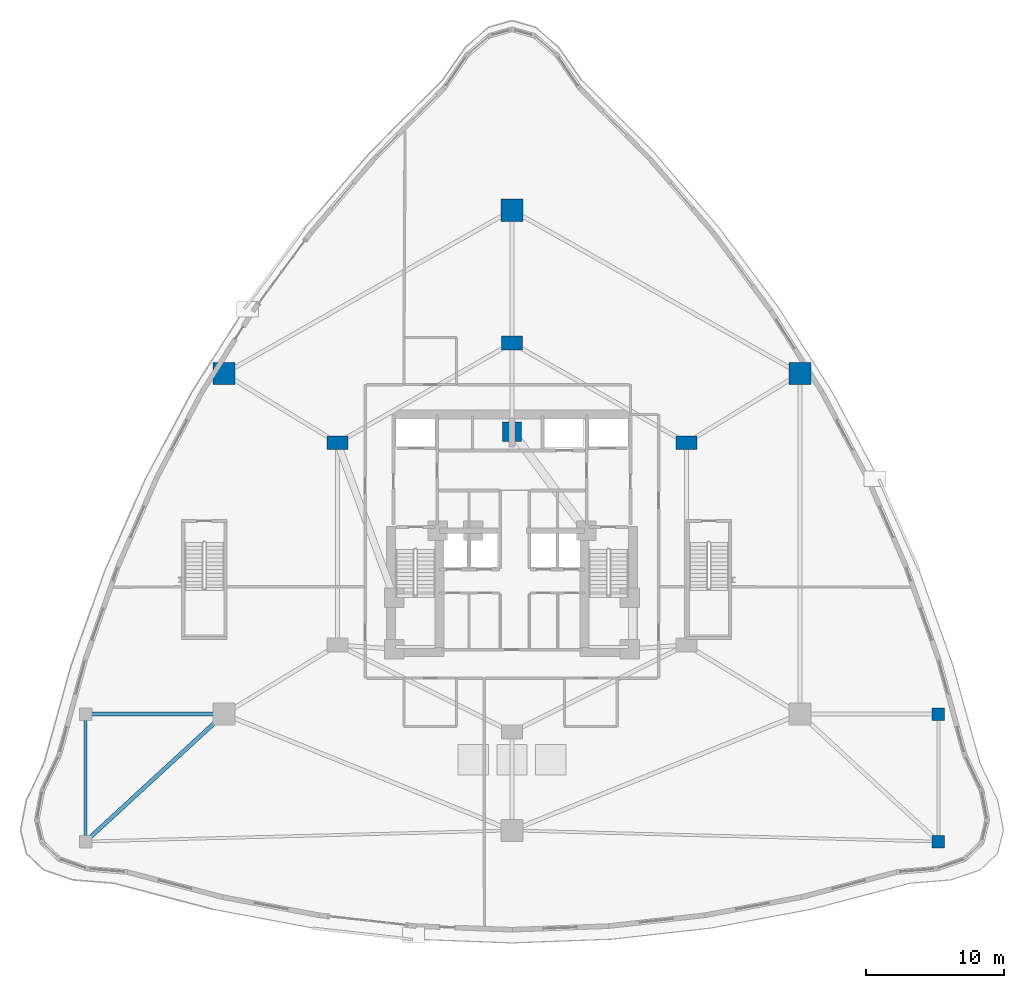
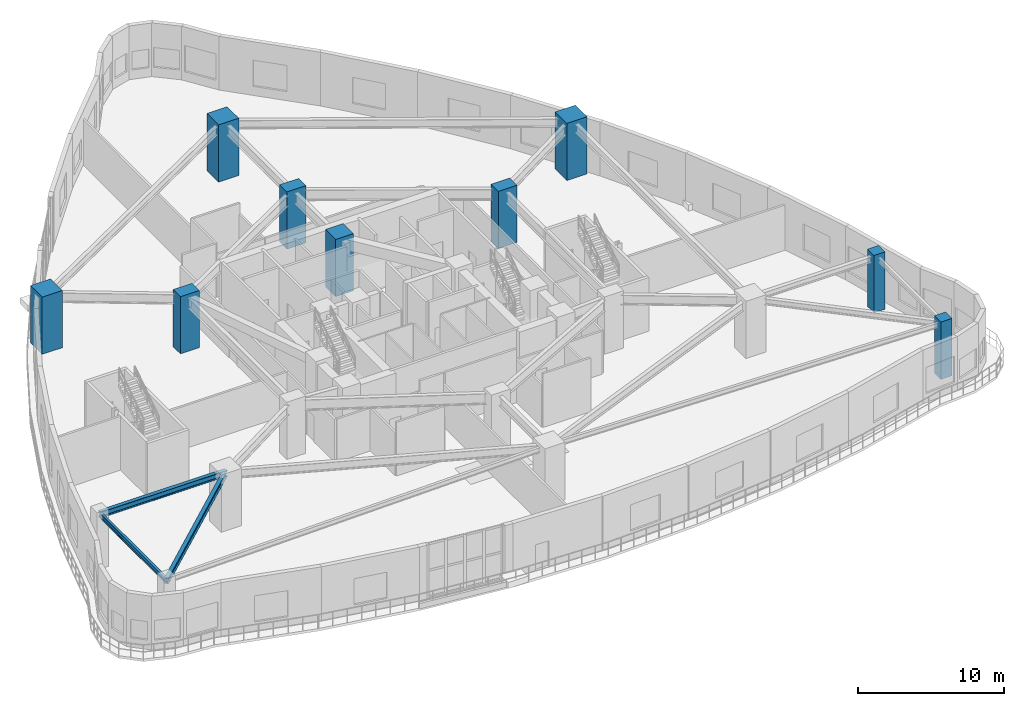
# One storey, part 3 of 23: 9 columns, 3 beams.
"""IFC4 building model written with IfcOpenShell, lengths in metres."""

from ifc_helpers import new_model, si_unit, direction, frame, origin, origin_2d, place, context, subcontext, project, spatial, rectangle, i_section, extrude, material, material_profile, profile_set, type_object, element, save


model = new_model("IFC4")

# Units and contexts
model_context = context("Model", 3, precision=1e-05, world=origin(), true_north=direction((0.0, 1.0)))
body_context = subcontext(model_context, "Body", "Model", "MODEL_VIEW")
ifc_project = project(units=[si_unit("LENGTHUNIT", "METRE"), si_unit("AREAUNIT", "SQUARE_METRE"), si_unit("VOLUMEUNIT", "CUBIC_METRE"), si_unit("PLANEANGLEUNIT", "RADIAN"), si_unit("MASSUNIT", "GRAM", prefix="KILO")], contexts=[model_context])

# Site, building, storey
site_placement = place(None, origin())
site = spatial("IfcSite", under=ifc_project, at=site_placement, CompositionType="ELEMENT")
building_placement = place(site_placement, origin())
building = spatial("IfcBuilding", under=site, at=building_placement, Name="Miruveldt Soraemaru", CompositionType="ELEMENT")
storey_placement = place(building_placement, frame((0.0, 0.0, 9.60009765625)))
storey = spatial("IfcBuildingStorey", under=building, at=storey_placement, Name="L03", CompositionType="ELEMENT", Elevation=9.60009765625)

# Columns
ifc_material_1 = material(Name="Concrete C50/60 (50 MPa)", Category="concrete")
ifc_material_profile_1 = material_profile(ifc_material_1, rectangle(XDim=0.89990234375, YDim=0.89990234375, at=origin_2d()), Name="Concrete C50/60 (50 MPa)", Category="concrete")
ifc_profile_set_1 = profile_set([ifc_material_profile_1], Name="Concrete C50/60 (50 MPa)")
column_type_1 = type_object("IfcColumnType", Name="COL-CORE-900", PredefinedType="COLUMN", material=ifc_profile_set_1)
for number, where, z_axis, x_axis, name in (
    (1, (74.800048828125, 21.60009765625, 0.0), (0.0, 0.0, 1.0), (1.0, 0.0, 0.0), "L03 Structural Column PF03"),
    (2, (74.800048828125, 30.800048828125, 0.0), (0.0, 0.0, 1.0), (1.0, 0.0, 0.0), "L03 Structural Column PF04"),
):
    element("IfcColumn", number, at=place(storey_placement, frame(where, z_axis=z_axis, x_axis=x_axis)), inside=storey, type_object=column_type_1, Name=name, PredefinedType="COLUMN", context=body_context, shape_type="SweptSolid", body=[
        extrude(rectangle(XDim=0.89990234375, YDim=0.89990234375, at=origin_2d()), origin(), (0.0, 0.0, 1.0), 4.7998046875),
    ])
ifc_material_2 = material(Name="Concrete C80/95 (80 MPa)", Category="concrete")
ifc_material_profile_2 = material_profile(ifc_material_2, rectangle(XDim=1.39990234375, YDim=1.39990234375, at=origin_2d()), Name="Concrete C80/95 (80 MPa)", Category="concrete")
ifc_profile_set_2 = profile_set([ifc_material_profile_2], Name="Concrete C80/95 (80 MPa)")
column_type_2 = type_object("IfcColumnType", Name="COL-MEGA-1400", PredefinedType="COLUMN", material=ifc_profile_set_2)
column_placement = place(storey_placement, frame((44.0, 51.199951171875, 0.0), z_axis=(0.0, 0.0, 1.0), x_axis=(1.0, 0.0, 0.0)))
element("IfcColumn", 3, at=column_placement, inside=storey, type_object=column_type_2, Name="L03 Structural Column CC6", PredefinedType="COLUMN", context=body_context, shape_type="SweptSolid", body=[
    extrude(rectangle(XDim=1.39990234375, YDim=1.39990234375, at=origin_2d()), origin(), (0.0, 0.0, 1.0), 4.7998046875),
])
ifc_material_profile_3 = material_profile(ifc_material_2, rectangle(XDim=1.60009765625, YDim=1.60009765625, at=origin_2d()), Name="Concrete C80/95 (80 MPa)", Category="concrete")
ifc_profile_set_3 = profile_set([ifc_material_profile_3], Name="Concrete C80/95 (80 MPa)")
column_type_3 = type_object("IfcColumnType", Name="COL-MEGA-1600", PredefinedType="COLUMN", material=ifc_profile_set_3)
for number, where, z_axis, x_axis, name in (
    (4, (44.0, 67.199951171875, 0.0), (0.0, 0.0, 1.0), (1.0, 0.0, 0.0), "L03 Structural Column PM01"),
    (5, (64.800048828125, 55.39990234375, 0.0), (0.0, 0.0, 1.0), (1.0, 0.0, 0.0), "L03 Structural Column PM02"),
    (6, (23.199951171875, 55.39990234375, 0.0), (0.0, 0.0, 1.0), (1.0, 0.0, 0.0), "L03 Structural Column PM06"),
):
    element("IfcColumn", number, at=place(storey_placement, frame(where, z_axis=z_axis, x_axis=x_axis)), inside=storey, type_object=column_type_3, Name=name, PredefinedType="COLUMN", context=body_context, shape_type="SweptSolid", body=[
        extrude(rectangle(XDim=1.60009765625, YDim=1.60009765625, at=origin_2d()), origin(), (0.0, 0.0, 1.0), 4.7998046875),
    ])
ifc_material_profile_4 = material_profile(ifc_material_2, rectangle(XDim=1.5, YDim=1.0, at=origin_2d()), Name="Concrete C80/95 (80 MPa)", Category="concrete")
ifc_profile_set_4 = profile_set([ifc_material_profile_4], Name="Concrete C80/95 (80 MPa)")
column_type_4 = type_object("IfcColumnType", Name="COL-TW-Z1A", PredefinedType="COLUMN", material=ifc_profile_set_4)
for number, where, z_axis, x_axis, name in (
    (7, (44.0, 57.60009765625, 0.0), (0.0, 0.0, 1.0), (1.0, 0.0, 0.0), "L03 Structural Column IR01"),
    (8, (56.60009765625, 50.39990234375, 0.0), (0.0, 0.0, 1.0), (1.0, 0.0, 0.0), "L03 Structural Column IR02"),
    (9, (31.39990234375, 50.39990234375, 0.0), (0.0, 0.0, 1.0), (1.0, 0.0, 0.0), "L03 Structural Column IR06"),
):
    element("IfcColumn", number, at=place(storey_placement, frame(where, z_axis=z_axis, x_axis=x_axis)), inside=storey, type_object=column_type_4, Name=name, PredefinedType="COLUMN", context=body_context, shape_type="SweptSolid", body=[
        extrude(rectangle(XDim=1.5, YDim=1.0, at=origin_2d()), origin(), (0.0, 0.0, 1.0), 4.7998046875),
    ])

# Beams
ifc_material_3 = material(Name="Steel SM355 (355 MPa)", Category="steel")
ifc_material_profile_5 = material_profile(ifc_material_3, i_section(OverallWidth=0.199951171875, OverallDepth=0.39990234375, WebThickness=0.008056640625, FlangeThickness=0.012939453125, FilletRadius=0.01611328125, at=origin_2d()), Name="Steel SM355 (355 MPa)", Category="steel")
ifc_profile_set_5 = profile_set([ifc_material_profile_5], Name="Steel SM355 (355 MPa)")
beam_type_1 = type_object("IfcBeamType", Name="BM-ST-H400", PredefinedType="JOIST", material=ifc_profile_set_5)
beam_1_placement = place(storey_placement, frame((13.199951171875, 30.800048828125, 4.2998046875), z_axis=(0.0, -1.0, 0.0), x_axis=(1.0, 0.0, 0.0)))
element("IfcBeam", 10, at=beam_1_placement, inside=storey, type_object=beam_type_1, Name="L03 Podium West Bay Edge Beam", PredefinedType="JOIST", context=body_context, shape_type="SweptSolid", body=[
    extrude(i_section(OverallWidth=0.199951171875, OverallDepth=0.39990234375, WebThickness=0.008056640625, FlangeThickness=0.012939453125, FilletRadius=0.01611328125, at=origin_2d()), origin(), (0.0, 0.0, 1.0), 9.199951171875),
])
ifc_material_profile_6 = material_profile(ifc_material_3, i_section(OverallWidth=0.300048828125, OverallDepth=0.488037109375, WebThickness=0.010986328125, FlangeThickness=0.01806640625, FilletRadius=0.02587890625, at=origin_2d()), Name="Steel SM355 (355 MPa)", Category="steel")
ifc_profile_set_6 = profile_set([ifc_material_profile_6], Name="Steel SM355 (355 MPa)")
beam_type_2 = type_object("IfcBeamType", Name="BM-ST-H488", PredefinedType="BEAM", material=ifc_profile_set_6)
beam_2_placement = place(storey_placement, frame((23.199951171875, 30.800048828125, 4.255859375), z_axis=(-1.0, 0.0, 0.0), x_axis=(0.0, -1.0, 0.0)))
element("IfcBeam", 11, at=beam_2_placement, inside=storey, type_object=beam_type_2, Name="L03 Podium West Bay Girder 1", PredefinedType="BEAM", context=body_context, shape_type="SweptSolid", body=[
    extrude(i_section(OverallWidth=0.300048828125, OverallDepth=0.488037109375, WebThickness=0.010986328125, FlangeThickness=0.01806640625, FilletRadius=0.02587890625, at=origin_2d()), origin(), (0.0, 0.0, 1.0), 10.0),
])
beam_3_placement = place(storey_placement, frame((13.199951171875, 21.60009765625, 4.255859375), z_axis=(0.735932802242, 0.677054584641, 0.0), x_axis=(-0.677054584641, 0.735932802242, 0.0)))
element("IfcBeam", 12, at=beam_3_placement, inside=storey, type_object=beam_type_2, Name="L03 Podium West Bay Tie Girder", PredefinedType="BEAM", context=body_context, shape_type="SweptSolid", body=[
    extrude(i_section(OverallWidth=0.300048828125, OverallDepth=0.488037109375, WebThickness=0.010986328125, FlangeThickness=0.01806640625, FilletRadius=0.02587890625, at=origin_2d()), origin(), (0.0, 0.0, 1.0), 13.588134765625),
])

save(model, "model.ifc")
